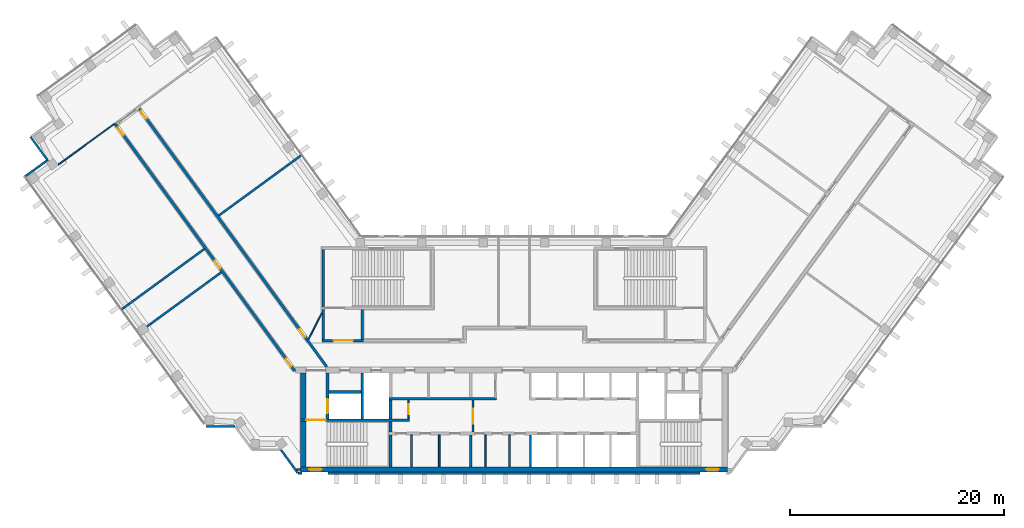
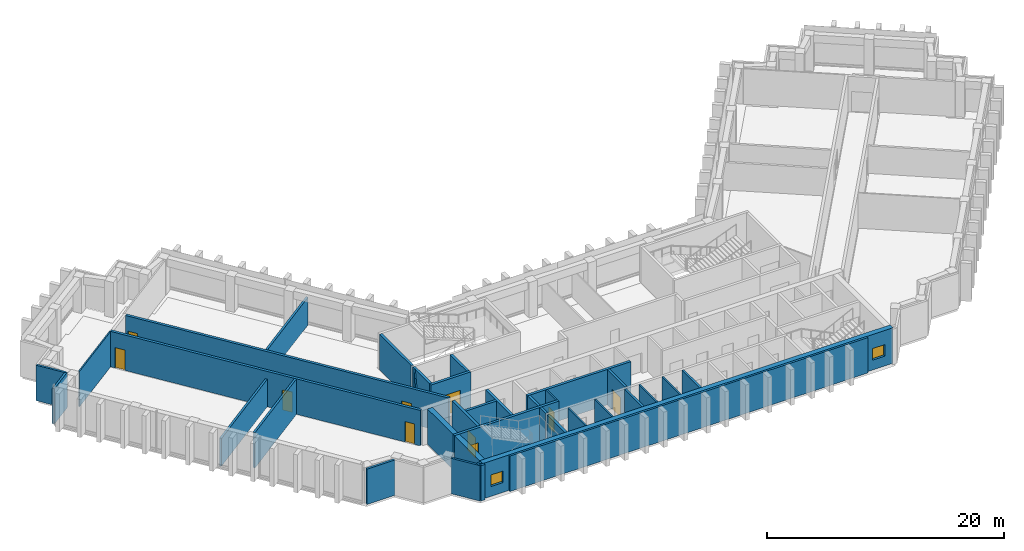
# One storey, part 5 of 11: 37 walls, 10 doors, 2 windows, 12 openings.
"""IFC4 building model written with IfcOpenShell, lengths in metres."""

from ifc_helpers import new_model, si_unit, direction, frame, frame_2d, origin, place, context, subcontext, project, spatial, rectangle, extrude, material, layer, layer_set, type_object, element, fill, save


model = new_model("IFC4")

# Units and contexts
model_context = context("Model", 3, precision=1e-05, world=origin(), true_north=direction((0.0, 1.0)))
body_context = subcontext(model_context, "Body", "Model", "MODEL_VIEW")
ifc_project = project(units=[si_unit("LENGTHUNIT", "METRE"), si_unit("AREAUNIT", "SQUARE_METRE"), si_unit("VOLUMEUNIT", "CUBIC_METRE"), si_unit("PLANEANGLEUNIT", "RADIAN"), si_unit("MASSUNIT", "GRAM", prefix="KILO")], contexts=[model_context])

# Site, building, storey
site_placement = place(None, origin())
site = spatial("IfcSite", under=ifc_project, at=site_placement, CompositionType="ELEMENT")
building_placement = place(site_placement, origin())
building = spatial("IfcBuilding", under=site, at=building_placement, Name="Quipu Civic Tower", CompositionType="ELEMENT")
storey_placement = place(building_placement, frame((0.0, 0.0, 144.0)))
storey = spatial("IfcBuildingStorey", under=building, at=storey_placement, Name="L33", CompositionType="ELEMENT", Elevation=144.0)

# Walls
ifc_material_1 = material(Name="Fired clay blockwork", Category="masonry")
ifc_layer_1 = layer(ifc_material_1, 0.199951171875)
ifc_layer_set_1 = layer_set([ifc_layer_1], Name="Fired clay blockwork")
wall_type_1 = type_object("IfcWallType", Name="Blockwork wall 200", PredefinedType="SOLIDWALL", material=ifc_layer_set_1)
for number, where, z_axis, x_axis, name in (
    (1, (-27.676025390625, 13.031982421875, 0.0), (0.0, 0.0, 1.0), (0.807606997933, 0.589721067023, 0.0), "Partition P08"),
    (2, (-36.71240234375, 4.288330078125, 0.0), (0.0, 0.0, 1.0), (0.807606997933, 0.589721067023, 0.0), "Partition P09"),
):
    element("IfcWall", number, at=place(storey_placement, frame(where, z_axis=z_axis, x_axis=x_axis)), inside=storey, type_object=wall_type_1, Name=name, PredefinedType="SOLIDWALL", context=body_context, shape_type="SweptSolid", body=[
        extrude(rectangle(XDim=9.550048828125, YDim=0.199951171875, at=frame_2d((4.77490234375, 0.0))), origin(), (0.0, 0.0, 1.0), 2.85009765625),
    ])
wall_1_placement = place(storey_placement, frame((-34.39453125, 2.637939453125, 0.0), z_axis=(0.0, 0.0, 1.0), x_axis=(0.807657534767, 0.589651851973, 0.0)))
element("IfcWall", 3, at=wall_1_placement, inside=storey, type_object=wall_type_1, Name="Partition P12", PredefinedType="SOLIDWALL", context=body_context, shape_type="SweptSolid", body=[
    extrude(rectangle(XDim=8.644287109375, YDim=0.199951171875, at=frame_2d((4.322265625, 0.0))), origin(), (0.0, 0.0, 1.0), 3.64990234375),
])
ifc_material_2 = material(Name="Concrete C70/85", Category="concrete")
ifc_layer_2 = layer(ifc_material_2, 0.25)
ifc_layer_set_2 = layer_set([ifc_layer_2], Name="Concrete C70/85")
wall_type_2 = type_object("IfcWallType", Name="Core wall 250", PredefinedType="SHEAR", material=ifc_layer_set_2)
wall_2_placement = place(storey_placement, frame((-11.574951171875, -10.5, 0.0), z_axis=(0.0, 0.0, 1.0), x_axis=(0.0, 1.0, 0.0)))
element("IfcWall", 4, at=wall_2_placement, inside=storey, type_object=wall_type_2, Name="Core wall", PredefinedType="SHEAR", context=body_context, shape_type="SweptSolid", body=[
    extrude(rectangle(XDim=3.0, YDim=0.25, at=frame_2d((1.5, 0.0))), origin(), (0.0, 0.0, 1.0), 3.64990234375),
])
wall_3_placement = place(storey_placement, frame((-11.574951171875, -7.25, 0.0), z_axis=(0.0, 0.0, 1.0), x_axis=(0.0, 1.0, 0.0)))
element("IfcWall", 5, at=wall_3_placement, inside=storey, type_object=wall_type_2, Name="Core wall", PredefinedType="SHEAR", context=body_context, shape_type="SweptSolid", body=[
    extrude(rectangle(XDim=1.0, YDim=0.25, at=frame_2d((0.5, 0.0))), origin(), (0.0, 0.0, 1.0), 3.64990234375),
])

# Wall, opening, door
wall_4_placement = place(storey_placement, frame((-9.800048828125, -6.125, 0.0), z_axis=(0.0, 0.0, 1.0), x_axis=(-1.0, 0.0, 0.0)))
wall_4 = element("IfcWall", 6, at=wall_4_placement, inside=storey, type_object=wall_type_2, Name="Core wall", PredefinedType="SHEAR", context=body_context, shape_type="SweptSolid", body=[
    extrude(rectangle(XDim=10.199951171875, YDim=0.25, at=frame_2d((5.10009765625, 0.0))), origin(), (0.0, 0.0, 1.0), 3.64990234375),
])
opening_1_placement = place(wall_4_placement, frame((7.85009765625, 0.0, 0.0)))
opening_1 = element("IfcOpeningElement", 7, at=opening_1_placement, cuts=wall_4, Name="Opening CD-07", PredefinedType="OPENING", context=body_context, shape_type="SweptSolid", body=[
    extrude(rectangle(XDim=1.800048828125, YDim=2.10009765625, at=frame_2d((0.89990234375, 1.050048828125))), frame((0.0, 0.135009765625, 0.0), z_axis=(0.0, -1.0, 0.0), x_axis=(1.0, 0.0, 0.0)), (0.0, 0.0, 1.0), 0.27001953125),
])
ifc_material_3 = material(Name="Fire rated steel door", Category="steel")
door_type_1 = type_object("IfcDoorType", Name="Fire door FD90 double 1800 x 2100", OperationType="NOTDEFINED", PredefinedType="DOOR", material=ifc_material_3)
door_1_placement = place(opening_1_placement, origin())
door_1 = element("IfcDoor", 8, at=door_1_placement, inside=storey, type_object=door_type_1, Name="Door", OperationType="DOUBLE_DOOR_SINGLE_SWING", OverallHeight=2.10009765625, OverallWidth=1.800048828125, PredefinedType="DOOR", context=body_context, shape_type="SweptSolid", body=[
    extrude(rectangle(XDim=1.800048828125, YDim=2.10009765625, at=frame_2d((0.89990234375, 1.050048828125))), frame((0.0, 0.02490234375, 0.0), z_axis=(0.0, -1.0, 0.0), x_axis=(1.0, 0.0, 0.0)), (0.0, 0.0, 1.0), 0.050048828125),
])
fill(opening_1, door_1)

wall_5_placement = place(storey_placement, frame((-17.47509765625, -6.0, 0.0), z_axis=(0.0, 0.0, 1.0), x_axis=(0.0, 1.0, 0.0)))
wall_5 = element("IfcWall", 9, at=wall_5_placement, inside=storey, type_object=wall_type_2, Name="Core wall", PredefinedType="SHEAR", context=body_context, shape_type="SweptSolid", body=[
    extrude(rectangle(XDim=4.300048828125, YDim=0.25, at=frame_2d((2.14990234375, 0.0))), origin(), (0.0, 0.0, 1.0), 3.64990234375),
])
opening_2_placement = place(wall_5_placement, frame((0.550048828125, 0.0, 0.0)))
opening_2 = element("IfcOpeningElement", 10, at=opening_2_placement, cuts=wall_5, Name="Opening LD-FF1", PredefinedType="OPENING", context=body_context, shape_type="SweptSolid", body=[
    extrude(rectangle(XDim=1.300048828125, YDim=2.10009765625, at=frame_2d((0.64990234375, 1.050048828125))), frame((0.0, 0.135009765625, 0.0), z_axis=(0.0, -1.0, 0.0), x_axis=(1.0, 0.0, 0.0)), (0.0, 0.0, 1.0), 0.27001953125),
])
ifc_material_4 = material(Name="Stainless steel", Category="steel")
door_type_2 = type_object("IfcDoorType", Name="Lift landing door 1300 x 2100", OperationType="DOUBLE_DOOR_SLIDING", PredefinedType="DOOR", material=ifc_material_4)
door_2_placement = place(opening_2_placement, origin())
door_2 = element("IfcDoor", 11, at=door_2_placement, inside=storey, type_object=door_type_2, Name="Landing door FF1", OperationType="DOUBLE_DOOR_SLIDING", OverallHeight=2.10009765625, OverallWidth=1.300048828125, PredefinedType="DOOR", context=body_context, shape_type="SweptSolid", body=[
    extrude(rectangle(XDim=1.300048828125, YDim=2.10009765625, at=frame_2d((0.64990234375, 1.050048828125))), frame((0.0, 0.02490234375, 0.0), z_axis=(0.0, -1.0, 0.0), x_axis=(1.0, 0.0, 0.0)), (0.0, 0.0, 1.0), 0.050048828125),
])
fill(opening_2, door_2)

# Walls
wall_6_placement = place(storey_placement, frame((-14.22509765625, -6.0, 0.0), z_axis=(0.0, 0.0, 1.0), x_axis=(0.0, 1.0, 0.0)))
element("IfcWall", 12, at=wall_6_placement, inside=storey, type_object=wall_type_2, Name="Core wall", PredefinedType="SHEAR", context=body_context, shape_type="SweptSolid", body=[
    extrude(rectangle(XDim=4.300048828125, YDim=0.25, at=frame_2d((2.14990234375, 0.0))), origin(), (0.0, 0.0, 1.0), 3.64990234375),
])
wall_7_placement = place(storey_placement, frame((-11.574951171875, -6.0, 0.0), z_axis=(0.0, 0.0, 1.0), x_axis=(0.0, 1.0, 0.0)))
element("IfcWall", 13, at=wall_7_placement, inside=storey, type_object=wall_type_2, Name="Core wall", PredefinedType="SHEAR", context=body_context, shape_type="SweptSolid", body=[
    extrude(rectangle(XDim=1.75, YDim=0.25, at=frame_2d((0.875, 0.0))), origin(), (0.0, 0.0, 1.0), 3.64990234375),
])
wall_8_placement = place(storey_placement, frame((-11.699951171875, -4.125, 0.0), z_axis=(0.0, 0.0, 1.0), x_axis=(1.0, 0.0, 0.0)))
element("IfcWall", 14, at=wall_8_placement, inside=storey, type_object=wall_type_2, Name="Core wall", PredefinedType="SHEAR", context=body_context, shape_type="SweptSolid", body=[
    extrude(rectangle(XDim=10.050048828125, YDim=0.25, at=frame_2d((5.02490234375, 0.0))), origin(), (0.0, 0.0, 1.0), 3.64990234375),
])
wall_9_placement = place(storey_placement, frame((-17.35009765625, -3.47509765625, 0.0), z_axis=(0.0, 0.0, 1.0), x_axis=(1.0, 0.0, 0.0)))
element("IfcWall", 15, at=wall_9_placement, inside=storey, type_object=wall_type_2, Name="Core wall", PredefinedType="SHEAR", context=body_context, shape_type="SweptSolid", body=[
    extrude(rectangle(XDim=3.0, YDim=0.25, at=frame_2d((1.5, 0.0))), origin(), (0.0, 0.0, 1.0), 3.64990234375),
])

# Wall, opening, door
wall_10_placement = place(storey_placement, frame((-18.0, 1.324951171875, 0.0), z_axis=(0.0, 0.0, 1.0), x_axis=(1.0, 0.0, 0.0)))
wall_10 = element("IfcWall", 16, at=wall_10_placement, inside=storey, type_object=wall_type_2, Name="Core wall", PredefinedType="SHEAR", context=body_context, shape_type="SweptSolid", body=[
    extrude(rectangle(XDim=3.89990234375, YDim=0.25, at=frame_2d((1.949951171875, 0.0))), origin(), (0.0, 0.0, 1.0), 3.64990234375),
])
opening_3_placement = place(wall_10_placement, frame((1.10009765625, 0.0, 0.0)))
opening_3 = element("IfcOpeningElement", 17, at=opening_3_placement, cuts=wall_10, Name="Opening CD-22", PredefinedType="OPENING", context=body_context, shape_type="SweptSolid", body=[
    extrude(rectangle(XDim=1.800048828125, YDim=2.10009765625, at=frame_2d((0.89990234375, 1.050048828125))), frame((0.0, 0.135009765625, 0.0), z_axis=(0.0, -1.0, 0.0), x_axis=(1.0, 0.0, 0.0)), (0.0, 0.0, 1.0), 0.27001953125),
])
door_3_placement = place(opening_3_placement, origin())
door_3 = element("IfcDoor", 18, at=door_3_placement, inside=storey, type_object=door_type_1, Name="Lobby door", OperationType="DOUBLE_DOOR_SINGLE_SWING", OverallHeight=2.10009765625, OverallWidth=1.800048828125, PredefinedType="DOOR", context=body_context, shape_type="SweptSolid", body=[
    extrude(rectangle(XDim=1.800048828125, YDim=2.10009765625, at=frame_2d((0.89990234375, 1.050048828125))), frame((0.0, 0.02490234375, 0.0), z_axis=(0.0, -1.0, 0.0), x_axis=(1.0, 0.0, 0.0)), (0.0, 0.0, 1.0), 0.050048828125),
])
fill(opening_3, door_3)

# Walls
for number, where, z_axis, x_axis, name in (
    (19, (-17.875, 1.449951171875, 0.0), (0.0, 0.0, 1.0), (0.0, 1.0, 0.0), "Core wall"),
    (20, (-14.22509765625, 1.449951171875, 0.0), (0.0, 0.0, 1.0), (0.0, 1.0, 0.0), "Core wall"),
):
    element("IfcWall", number, at=place(storey_placement, frame(where, z_axis=z_axis, x_axis=x_axis)), inside=storey, type_object=wall_type_2, Name=name, PredefinedType="SHEAR", context=body_context, shape_type="SweptSolid", body=[
        extrude(rectangle(XDim=2.800048828125, YDim=0.25, at=frame_2d((1.39990234375, 0.0))), origin(), (0.0, 0.0, 1.0), 3.64990234375),
    ])
wall_11_placement = place(storey_placement, frame((-17.875, 4.5, 0.0), z_axis=(0.0, 0.0, 1.0), x_axis=(0.0, 1.0, 0.0)))
element("IfcWall", 21, at=wall_11_placement, inside=storey, type_object=wall_type_2, Name="Core wall", PredefinedType="SHEAR", context=body_context, shape_type="SweptSolid", body=[
    extrude(rectangle(XDim=5.35009765625, YDim=0.25, at=frame_2d((2.675048828125, 0.0))), origin(), (0.0, 0.0, 1.0), 3.64990234375),
])

# Wall, openings, windows
ifc_material_5 = material(Name="Concrete C70/85", Category="concrete")
ifc_layer_3 = layer(ifc_material_5, 0.5)
ifc_layer_set_3 = layer_set([ifc_layer_3], Name="Concrete C70/85")
wall_type_3 = type_object("IfcWallType", Name="Core wall 500", PredefinedType="SHEAR", material=ifc_layer_set_3)
wall_12_placement = place(storey_placement, frame((-20.0, -10.75, 0.0), z_axis=(0.0, 0.0, 1.0), x_axis=(1.0, 0.0, 0.0)))
wall_12 = element("IfcWall", 22, at=wall_12_placement, inside=storey, type_object=wall_type_3, Name="Core wall", PredefinedType="SHEAR", context=body_context, shape_type="SweptSolid", body=[
    extrude(rectangle(XDim=40.0, YDim=0.5, at=frame_2d((20.0, 0.0))), origin(), (0.0, 0.0, 1.0), 3.64990234375),
])
opening_4_placement = place(wall_12_placement, frame((0.800048828125, 0.0, 1.0)))
opening_4 = element("IfcOpeningElement", 23, at=opening_4_placement, cuts=wall_12, Name="Opening SV-1", PredefinedType="OPENING", context=body_context, shape_type="SweptSolid", body=[
    extrude(rectangle(XDim=1.199951171875, YDim=1.199951171875, at=frame_2d((0.60009765625, 0.60009765625))), frame((0.0, 0.260009765625, 0.0), z_axis=(0.0, -1.0, 0.0), x_axis=(1.0, 0.0, 0.0)), (0.0, 0.0, 1.0), 0.52001953125),
])
opening_5_placement = place(wall_12_placement, frame((38.0, 0.0, 1.0)))
opening_5 = element("IfcOpeningElement", 24, at=opening_5_placement, cuts=wall_12, Name="Opening SV-2", PredefinedType="OPENING", context=body_context, shape_type="SweptSolid", body=[
    extrude(rectangle(XDim=1.199951171875, YDim=1.199951171875, at=frame_2d((0.60009765625, 0.60009765625))), frame((0.0, 0.260009765625, 0.0), z_axis=(0.0, -1.0, 0.0), x_axis=(1.0, 0.0, 0.0)), (0.0, 0.0, 1.0), 0.52001953125),
])
ifc_material_6 = material(Name="Aluminium louvre", Category="aluminium")
window_type = type_object("IfcWindowType", Name="Stair ventilation louvre 1200 x 1200", PartitioningType="SINGLE_PANEL", PredefinedType="WINDOW", material=ifc_material_6)
window_1_placement = place(opening_4_placement, origin())
window_1 = element("IfcWindow", 25, at=window_1_placement, inside=storey, type_object=window_type, Name="Stair ventilation opening", OverallHeight=1.199951171875, OverallWidth=1.199951171875, PartitioningType="SINGLE_PANEL", PredefinedType="WINDOW", context=body_context, shape_type="SweptSolid", body=[
    extrude(rectangle(XDim=1.199951171875, YDim=1.199951171875, at=frame_2d((0.60009765625, 0.60009765625))), frame((0.0, 0.030029296875, 0.0), z_axis=(0.0, -1.0, 0.0), x_axis=(1.0, 0.0, 0.0)), (0.0, 0.0, 1.0), 0.06005859375),
])
fill(opening_4, window_1)
window_2_placement = place(opening_5_placement, origin())
window_2 = element("IfcWindow", 26, at=window_2_placement, inside=storey, type_object=window_type, Name="Stair ventilation opening", OverallHeight=1.199951171875, OverallWidth=1.199951171875, PartitioningType="SINGLE_PANEL", PredefinedType="WINDOW", context=body_context, shape_type="SweptSolid", body=[
    extrude(rectangle(XDim=1.199951171875, YDim=1.199951171875, at=frame_2d((0.60009765625, 0.60009765625))), frame((0.0, 0.030029296875, 0.0), z_axis=(0.0, -1.0, 0.0), x_axis=(1.0, 0.0, 0.0)), (0.0, 0.0, 1.0), 0.06005859375),
])
fill(opening_5, window_2)

# Walls
wall_13_placement = place(storey_placement, frame((-19.75, -10.5, 0.0), z_axis=(0.0, 0.0, 1.0), x_axis=(0.0, 1.0, 0.0)))
element("IfcWall", 27, at=wall_13_placement, inside=storey, type_object=wall_type_3, Name="Core wall", PredefinedType="SHEAR", context=body_context, shape_type="SweptSolid", body=[
    extrude(rectangle(XDim=4.25, YDim=0.5, at=frame_2d((2.125, 0.0))), origin(), (0.0, 0.0, 1.0), 3.64990234375),
])
wall_14_placement = place(storey_placement, frame((-19.75, -6.0, 0.0), z_axis=(0.0, 0.0, 1.0), x_axis=(0.0, 1.0, 0.0)))
element("IfcWall", 28, at=wall_14_placement, inside=storey, type_object=wall_type_3, Name="Core wall", PredefinedType="SHEAR", context=body_context, shape_type="SweptSolid", body=[
    extrude(rectangle(XDim=4.300048828125, YDim=0.5, at=frame_2d((2.14990234375, 0.0))), origin(), (0.0, 0.0, 1.0), 3.64990234375),
])

# Wall, openings, doors
ifc_material_7 = material(Name="Concrete C50/60", Category="concrete")
ifc_layer_4 = layer(ifc_material_7, 0.25)
ifc_layer_set_4 = layer_set([ifc_layer_4], Name="Concrete C50/60")
wall_type_4 = type_object("IfcWallType", Name="Corridor wall 250 concrete", PredefinedType="SOLIDWALL", material=ifc_layer_set_4)
wall_15_placement = place(storey_placement, frame((-20.531005859375, -1.5234375, 0.0), z_axis=(0.0, 0.0, 1.0), x_axis=(-0.587785812891, 0.809016587076, 0.0)))
wall_15 = element("IfcWall", 29, at=wall_15_placement, inside=storey, type_object=wall_type_4, Name="Corridor wall C04", PredefinedType="SOLIDWALL", context=body_context, shape_type="SweptSolid", body=[
    extrude(rectangle(XDim=28.67041015625, YDim=0.25, at=frame_2d((14.335205078125, 0.0))), origin(), (0.0, 0.0, 1.0), 3.64990234375),
])
opening_6_placement = place(wall_15_placement, frame((27.296142578125, 0.0, 0.0)))
opening_6 = element("IfcOpeningElement", 30, at=opening_6_placement, cuts=wall_15, Name="Opening D013", PredefinedType="OPENING", context=body_context, shape_type="SweptSolid", body=[
    extrude(rectangle(XDim=0.89990234375, YDim=2.10009765625, at=frame_2d((0.449951171875, 1.050048828125))), frame((0.0, 0.135009765625, 0.0), z_axis=(0.0, -1.0, 0.0), x_axis=(1.0, 0.0, 0.0)), (0.0, 0.0, 1.0), 0.27001953125),
])
opening_7_placement = place(wall_15_placement, frame((11.865966796875, 0.0, 0.0)))
opening_7 = element("IfcOpeningElement", 31, at=opening_7_placement, cuts=wall_15, Name="Opening D014", PredefinedType="OPENING", context=body_context, shape_type="SweptSolid", body=[
    extrude(rectangle(XDim=0.89990234375, YDim=2.10009765625, at=frame_2d((0.449951171875, 1.050048828125))), frame((0.0, 0.135009765625, 0.0), z_axis=(0.0, -1.0, 0.0), x_axis=(1.0, 0.0, 0.0)), (0.0, 0.0, 1.0), 0.27001953125),
])
opening_8_placement = place(wall_15_placement, frame((0.53271484375, 0.0, 0.0)))
opening_8 = element("IfcOpeningElement", 32, at=opening_8_placement, cuts=wall_15, Name="Opening D015", PredefinedType="OPENING", context=body_context, shape_type="SweptSolid", body=[
    extrude(rectangle(XDim=0.89990234375, YDim=2.10009765625, at=frame_2d((0.449951171875, 1.050048828125))), frame((0.0, 0.135009765625, 0.0), z_axis=(0.0, -1.0, 0.0), x_axis=(1.0, 0.0, 0.0)), (0.0, 0.0, 1.0), 0.27001953125),
])
ifc_material_8 = material(Name="Fire rated timber door set with metal frame", Category="wood")
door_type_3 = type_object("IfcDoorType", Name="Single door 900 x 2100 FD60", OperationType="NOTDEFINED", PredefinedType="DOOR", material=ifc_material_8)
door_4_placement = place(opening_6_placement, origin())
door_4 = element("IfcDoor", 33, at=door_4_placement, inside=storey, type_object=door_type_3, Name="Door D013", OperationType="SINGLE_SWING_RIGHT", OverallHeight=2.10009765625, OverallWidth=0.89990234375, PredefinedType="DOOR", context=body_context, shape_type="SweptSolid", body=[
    extrude(rectangle(XDim=0.89990234375, YDim=2.10009765625, at=frame_2d((0.449951171875, 1.050048828125))), frame((0.0, 0.02490234375, 0.0), z_axis=(0.0, -1.0, 0.0), x_axis=(1.0, 0.0, 0.0)), (0.0, 0.0, 1.0), 0.050048828125),
])
fill(opening_6, door_4)
door_5_placement = place(opening_7_placement, origin())
door_5 = element("IfcDoor", 34, at=door_5_placement, inside=storey, type_object=door_type_3, Name="Door D014", OperationType="SINGLE_SWING_LEFT", OverallHeight=2.10009765625, OverallWidth=0.89990234375, PredefinedType="DOOR", context=body_context, shape_type="SweptSolid", body=[
    extrude(rectangle(XDim=0.89990234375, YDim=2.10009765625, at=frame_2d((0.449951171875, 1.050048828125))), frame((0.0, 0.02490234375, 0.0), z_axis=(0.0, -1.0, 0.0), x_axis=(1.0, 0.0, 0.0)), (0.0, 0.0, 1.0), 0.050048828125),
])
fill(opening_7, door_5)
door_6_placement = place(opening_8_placement, origin())
door_6 = element("IfcDoor", 35, at=door_6_placement, inside=storey, type_object=door_type_3, Name="Door D015", OperationType="SINGLE_SWING_LEFT", OverallHeight=2.10009765625, OverallWidth=0.89990234375, PredefinedType="DOOR", context=body_context, shape_type="SweptSolid", body=[
    extrude(rectangle(XDim=0.89990234375, YDim=2.10009765625, at=frame_2d((0.449951171875, 1.050048828125))), frame((0.0, 0.02490234375, 0.0), z_axis=(0.0, -1.0, 0.0), x_axis=(1.0, 0.0, 0.0)), (0.0, 0.0, 1.0), 0.050048828125),
])
fill(opening_8, door_6)

wall_16_placement = place(storey_placement, frame((-35.092041015625, 23.02685546875, 0.0), z_axis=(0.0, 0.0, 1.0), x_axis=(0.587784076945, -0.809017848313, 0.0)))
wall_16 = element("IfcWall", 36, at=wall_16_placement, inside=storey, type_object=wall_type_4, Name="Corridor wall C06", PredefinedType="SOLIDWALL", context=body_context, shape_type="SweptSolid", body=[
    extrude(rectangle(XDim=29.85302734375, YDim=0.25, at=frame_2d((14.926513671875, 0.0))), origin(), (0.0, 0.0, 1.0), 3.64990234375),
])
opening_9_placement = place(wall_16_placement, frame((0.223876953125, 0.0, 0.0)))
opening_9 = element("IfcOpeningElement", 37, at=opening_9_placement, cuts=wall_16, Name="Opening D011", PredefinedType="OPENING", context=body_context, shape_type="SweptSolid", body=[
    extrude(rectangle(XDim=0.89990234375, YDim=2.10009765625, at=frame_2d((0.449951171875, 1.050048828125))), frame((0.0, 0.135009765625, 0.0), z_axis=(0.0, -1.0, 0.0), x_axis=(1.0, 0.0, 0.0)), (0.0, 0.0, 1.0), 0.27001953125),
])
opening_10_placement = place(wall_16_placement, frame((25.51171875, 0.0, 0.0)))
opening_10 = element("IfcOpeningElement", 38, at=opening_10_placement, cuts=wall_16, Name="Opening D012", PredefinedType="OPENING", context=body_context, shape_type="SweptSolid", body=[
    extrude(rectangle(XDim=0.89990234375, YDim=2.10009765625, at=frame_2d((0.449951171875, 1.050048828125))), frame((0.0, 0.135009765625, 0.0), z_axis=(0.0, -1.0, 0.0), x_axis=(1.0, 0.0, 0.0)), (0.0, 0.0, 1.0), 0.27001953125),
])
door_7_placement = place(opening_9_placement, origin())
door_7 = element("IfcDoor", 39, at=door_7_placement, inside=storey, type_object=door_type_3, Name="Door D011", OperationType="SINGLE_SWING_LEFT", OverallHeight=2.10009765625, OverallWidth=0.89990234375, PredefinedType="DOOR", context=body_context, shape_type="SweptSolid", body=[
    extrude(rectangle(XDim=0.89990234375, YDim=2.10009765625, at=frame_2d((0.449951171875, 1.050048828125))), frame((0.0, 0.02490234375, 0.0), z_axis=(0.0, -1.0, 0.0), x_axis=(1.0, 0.0, 0.0)), (0.0, 0.0, 1.0), 0.050048828125),
])
fill(opening_9, door_7)
door_8_placement = place(opening_10_placement, origin())
door_8 = element("IfcDoor", 40, at=door_8_placement, inside=storey, type_object=door_type_3, Name="Door D012", OperationType="SINGLE_SWING_RIGHT", OverallHeight=2.10009765625, OverallWidth=0.89990234375, PredefinedType="DOOR", context=body_context, shape_type="SweptSolid", body=[
    extrude(rectangle(XDim=0.89990234375, YDim=2.10009765625, at=frame_2d((0.449951171875, 1.050048828125))), frame((0.0, 0.02490234375, 0.0), z_axis=(0.0, -1.0, 0.0), x_axis=(1.0, 0.0, 0.0)), (0.0, 0.0, 1.0), 0.050048828125),
])
fill(opening_10, door_8)

# Walls
ifc_material_9 = material(Name="Gypsum plasterboard on light gauge framing")
ifc_layer_5 = layer(ifc_material_9, 0.1201171875)
ifc_layer_set_5 = layer_set([ifc_layer_5], Name="Gypsum plasterboard on light gauge framing")
wall_type_5 = type_object("IfcWallType", Name="Partition 120 plasterboard", PredefinedType="PARTITIONING", material=ifc_layer_set_5)
wall_17_placement = place(storey_placement, frame((-42.69775390625, 17.809814453125, 0.0), z_axis=(0.0, 0.0, 1.0), x_axis=(0.80901688725, 0.587785399737, 0.0)))
element("IfcWall", 41, at=wall_17_placement, inside=storey, type_object=wall_type_5, Name="Partition P02", PredefinedType="PARTITIONING", context=body_context, shape_type="SweptSolid", body=[
    extrude(rectangle(XDim=6.464599609375, YDim=0.1201171875, at=frame_2d((3.232421875, 0.0))), origin(), (0.0, 0.0, 1.0), 3.64990234375),
])
wall_18_placement = place(storey_placement, frame((-19.260986328125, 1.449951171875, 0.0), z_axis=(0.0, 0.0, 1.0), x_axis=(0.453950796792, 0.891026752736, 0.0)))
element("IfcWall", 42, at=wall_18_placement, inside=storey, type_object=wall_type_5, Name="Partition P15", PredefinedType="PARTITIONING", context=body_context, shape_type="SweptSolid", body=[
    extrude(rectangle(XDim=2.77783203125, YDim=0.1201171875, at=frame_2d((1.388916015625, 0.0))), origin(), (0.0, 0.0, 1.0), 3.64990234375),
])
ifc_material_10 = material(Name="Gypsum board partition")
ifc_layer_6 = layer(ifc_material_10, 0.14990234375)
ifc_layer_set_6 = layer_set([ifc_layer_6], Name="Gypsum board partition")
wall_type_6 = type_object("IfcWallType", Name="Partition 150", PredefinedType="PARTITIONING", material=ifc_layer_set_6)
for number, where, z_axis, x_axis, name in (
    (43, (-9.60009765625, -10.5, 0.0), (0.0, 0.0, 1.0), (0.0, 1.0, 0.0), "Partition"),
    (44, (-7.0, -10.5, 0.0), (0.0, 0.0, 1.0), (0.0, 1.0, 0.0), "Partition"),
    (45, (-2.675048828125, -10.5, 0.0), (0.0, 0.0, 1.0), (0.0, 1.0, 0.0), "Partition"),
    (46, (-0.425048828125, -10.5, 0.0), (0.0, 0.0, 1.0), (0.0, 1.0, 0.0), "Partition"),
):
    element("IfcWall", number, at=place(storey_placement, frame(where, z_axis=z_axis, x_axis=x_axis)), inside=storey, type_object=wall_type_6, Name=name, PredefinedType="PARTITIONING", context=body_context, shape_type="SweptSolid", body=[
        extrude(rectangle(XDim=3.0, YDim=0.14990234375, at=frame_2d((1.5, 0.0))), origin(), (0.0, 0.0, 1.0), 3.64990234375),
    ])

# Wall, opening, door
wall_19_placement = place(storey_placement, frame((-9.875, -4.25, 0.0), z_axis=(0.0, 0.0, 1.0), x_axis=(0.0, -1.0, 0.0)))
wall_19 = element("IfcWall", 47, at=wall_19_placement, inside=storey, type_object=wall_type_6, Name="Partition", PredefinedType="PARTITIONING", context=body_context, shape_type="SweptSolid", body=[
    extrude(rectangle(XDim=1.75, YDim=0.14990234375, at=frame_2d((0.875, 0.0))), origin(), (0.0, 0.0, 1.0), 3.64990234375),
])
opening_11_placement = place(wall_19_placement, frame((0.39990234375, 0.0, 0.0)))
opening_11 = element("IfcOpeningElement", 48, at=opening_11_placement, cuts=wall_19, Name="Opening CD-10", PredefinedType="OPENING", context=body_context, shape_type="SweptSolid", body=[
    extrude(rectangle(XDim=0.89990234375, YDim=2.10009765625, at=frame_2d((0.449951171875, 1.050048828125))), frame((0.0, 0.0849609375, 0.0), z_axis=(0.0, -1.0, 0.0), x_axis=(1.0, 0.0, 0.0)), (0.0, 0.0, 1.0), 0.169921875),
])
ifc_material_11 = material(Name="Fire rated steel door", Category="steel")
door_type_4 = type_object("IfcDoorType", Name="Fire door FD60 900 x 2100", OperationType="NOTDEFINED", PredefinedType="DOOR", material=ifc_material_11)
door_9_placement = place(opening_11_placement, origin())
door_9 = element("IfcDoor", 49, at=door_9_placement, inside=storey, type_object=door_type_4, Name="Door", OperationType="SINGLE_SWING_LEFT", OverallHeight=2.10009765625, OverallWidth=0.89990234375, PredefinedType="DOOR", context=body_context, shape_type="SweptSolid", body=[
    extrude(rectangle(XDim=0.89990234375, YDim=2.10009765625, at=frame_2d((0.449951171875, 1.050048828125))), frame((0.0, 0.02490234375, 0.0), z_axis=(0.0, -1.0, 0.0), x_axis=(1.0, 0.0, 0.0)), (0.0, 0.0, 1.0), 0.050048828125),
])
fill(opening_11, door_9)

# Walls
ifc_material_12 = material(Name="Precast concrete C40/50", Category="concrete")
wall_type_7 = type_object("IfcWallType", Name="Precast cladding wall", PredefinedType="SOLIDWALL", material=ifc_material_12)
for number, where, z_axis, x_axis, name in (
    (50, (-45.29638671875, 20.43359375, 0.0), (0.0, 0.0, 1.0), (0.587762999008, -0.809033161865, 0.0), "Precast cladding wall L33 2"),
    (51, (-43.658203125, 18.271728515625, 0.0), (0.0, 0.0, 1.0), (-0.808958916286, -0.58786518162, 0.0), "Precast cladding wall L33 3"),
    (52, (-28.829833984375, -6.71923828125, 0.0), (0.0, 0.0, 1.0), (1.0, 0.0, 0.0), "Precast cladding wall L33 5"),
):
    element("IfcWall", number, at=place(storey_placement, frame(where, z_axis=z_axis, x_axis=x_axis)), inside=storey, type_object=wall_type_7, Name=name, PredefinedType="SOLIDWALL", context=body_context, shape_type="SweptSolid", body=[
        extrude(rectangle(XDim=2.699951171875, YDim=0.199951171875, at=frame_2d((1.35009765625, 0.0))), origin(), (0.0, 0.0, 1.0), 3.64990234375),
    ])
wall_20_placement = place(storey_placement, frame((-21.8330078125, -8.90869140625, 0.0), z_axis=(0.0, 0.0, 1.0), x_axis=(0.587766567315, -0.809030569476, 0.0)))
element("IfcWall", 53, at=wall_20_placement, inside=storey, type_object=wall_type_7, Name="Precast cladding wall L33 8", PredefinedType="SOLIDWALL", context=body_context, shape_type="SweptSolid", body=[
    extrude(rectangle(XDim=2.687744140625, YDim=0.199951171875, at=frame_2d((1.34375, 0.0))), origin(), (0.0, 0.0, 1.0), 3.64990234375),
])
wall_21_placement = place(storey_placement, frame((-20.255859375, -11.087890625, 0.0), z_axis=(0.0, 0.0, 1.0), x_axis=(1.0, 0.0, 0.0)))
element("IfcWall", 54, at=wall_21_placement, inside=storey, type_object=wall_type_7, Name="Precast cladding wall L33 9", PredefinedType="SOLIDWALL", context=body_context, shape_type="SweptSolid", body=[
    extrude(rectangle(XDim=0.40576171875, YDim=0.199951171875, at=frame_2d((0.202880859375, 0.0))), origin(), (0.0, 0.0, 1.0), 3.64990234375),
])
wall_22_placement = place(storey_placement, frame((-17.44384765625, -11.087890625, 0.0), z_axis=(0.0, 0.0, 1.0), x_axis=(1.0, 0.0, 0.0)))
element("IfcWall", 55, at=wall_22_placement, inside=storey, type_object=wall_type_7, Name="Precast cladding wall L33 10", PredefinedType="SOLIDWALL", context=body_context, shape_type="SweptSolid", body=[
    extrude(rectangle(XDim=34.8876953125, YDim=0.199951171875, at=frame_2d((17.44384765625, 0.0))), origin(), (0.0, 0.0, 1.0), 3.64990234375),
])
wall_23_placement = place(storey_placement, frame((-19.97998046875, -10.75, 0.0), z_axis=(0.0, 0.0, 1.0), x_axis=(-1.0, 0.0, 0.0)))
element("IfcWall", 56, at=wall_23_placement, inside=storey, type_object=wall_type_7, Name="Precast cladding return L33 W", PredefinedType="SOLIDWALL", context=body_context, shape_type="SweptSolid", body=[
    extrude(rectangle(XDim=0.41650390625, YDim=0.199951171875, at=frame_2d((0.208251953125, 0.0))), origin(), (0.0, 0.0, 1.0), 3.64990234375),
])
ifc_material_13 = material(Name="Concrete C40/50", Category="concrete")
ifc_layer_7 = layer(ifc_material_13, 0.199951171875)
ifc_layer_set_7 = layer_set([ifc_layer_7], Name="Concrete C40/50")
wall_type_8 = type_object("IfcWallType", Name="Shaft wall 200", PredefinedType="SOLIDWALL", material=ifc_layer_set_7)
for number, where, z_axis, x_axis, name in (
    (57, (-4.050048828125, -10.5, 0.0), (0.0, 0.0, 1.0), (0.0, 1.0, 0.0), "Shaft wall"),
    (58, (1.550048828125, -10.5, 0.0), (0.0, 0.0, 1.0), (0.0, 1.0, 0.0), "Shaft wall"),
):
    element("IfcWall", number, at=place(storey_placement, frame(where, z_axis=z_axis, x_axis=x_axis)), inside=storey, type_object=wall_type_8, Name=name, PredefinedType="SOLIDWALL", context=body_context, shape_type="SweptSolid", body=[
        extrude(rectangle(XDim=3.0, YDim=0.199951171875, at=frame_2d((1.5, 0.0))), origin(), (0.0, 0.0, 1.0), 3.64990234375),
    ])

# Wall, opening, door
wall_24_placement = place(storey_placement, frame((-3.85009765625, -4.25, 0.0), z_axis=(0.0, 0.0, 1.0), x_axis=(0.0, -1.0, 0.0)))
wall_24 = element("IfcWall", 59, at=wall_24_placement, inside=storey, type_object=wall_type_8, Name="Shaft wall", PredefinedType="SOLIDWALL", context=body_context, shape_type="SweptSolid", body=[
    extrude(rectangle(XDim=3.0, YDim=0.199951171875, at=frame_2d((1.5, 0.0))), origin(), (0.0, 0.0, 1.0), 3.64990234375),
])
opening_12_placement = place(wall_24_placement, frame((0.800048828125, 0.0, 0.0)))
opening_12 = element("IfcOpeningElement", 60, at=opening_12_placement, cuts=wall_24, Name="Opening CD-09", PredefinedType="OPENING", context=body_context, shape_type="SweptSolid", body=[
    extrude(rectangle(XDim=1.39990234375, YDim=2.10009765625, at=frame_2d((0.699951171875, 1.050048828125))), frame((0.0, 0.10986328125, 0.0), z_axis=(0.0, -1.0, 0.0), x_axis=(1.0, 0.0, 0.0)), (0.0, 0.0, 1.0), 0.219970703125),
])
ifc_material_14 = material(Name="Fire rated steel door", Category="steel")
door_type_5 = type_object("IfcDoorType", Name="Fire door FD60 double 1400 x 2100", OperationType="NOTDEFINED", PredefinedType="DOOR", material=ifc_material_14)
door_10_placement = place(opening_12_placement, origin())
door_10 = element("IfcDoor", 61, at=door_10_placement, inside=storey, type_object=door_type_5, Name="Hall door", OperationType="DOUBLE_DOOR_SINGLE_SWING", OverallHeight=2.10009765625, OverallWidth=1.39990234375, PredefinedType="DOOR", context=body_context, shape_type="SweptSolid", body=[
    extrude(rectangle(XDim=1.39990234375, YDim=2.10009765625, at=frame_2d((0.699951171875, 1.050048828125))), frame((0.0, 0.02490234375, 0.0), z_axis=(0.0, -1.0, 0.0), x_axis=(1.0, 0.0, 0.0)), (0.0, 0.0, 1.0), 0.050048828125),
])
fill(opening_12, door_10)

save(model, "model.ifc")
